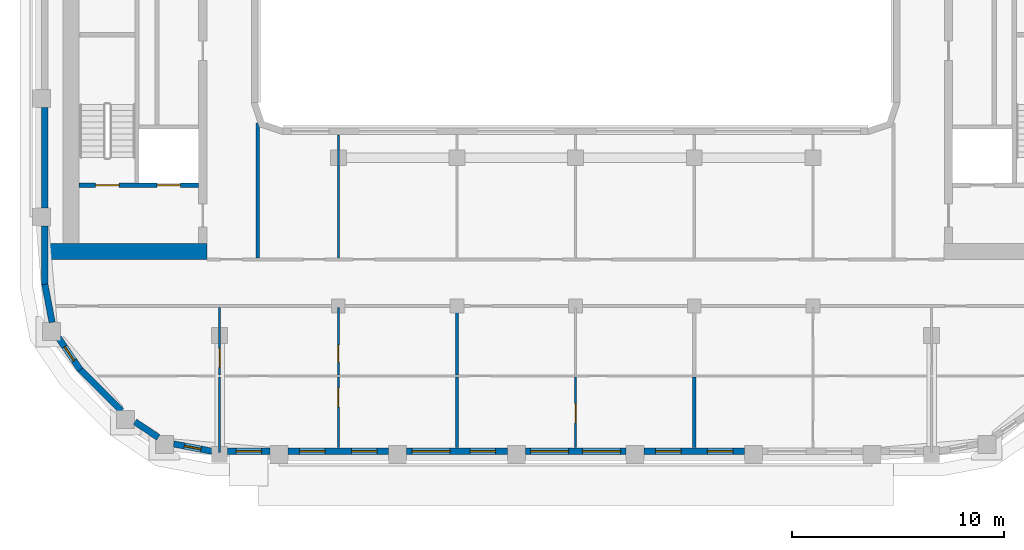
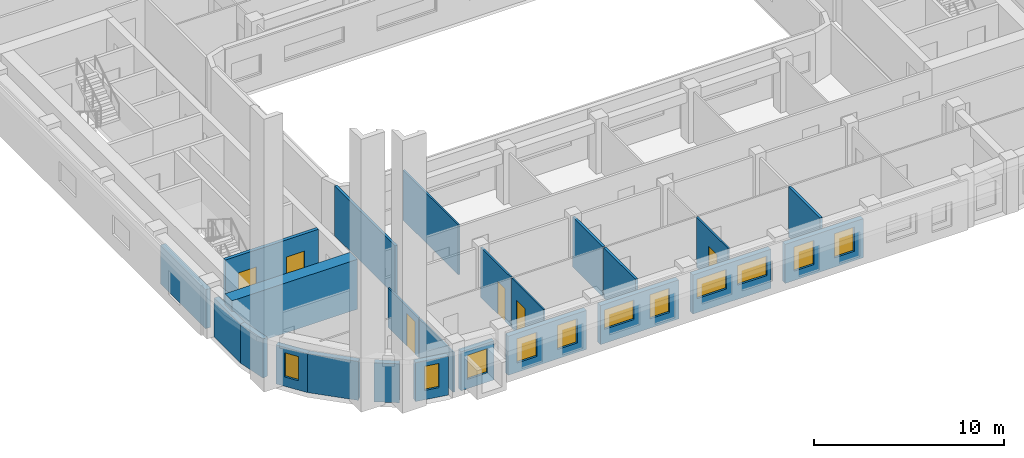
# One storey, part 2 of 21: 24 walls, 11 windows, 6 doors, 17 openings.
"""IFC4 building model written with IfcOpenShell, lengths in metres."""

from ifc_helpers import new_model, si_unit, direction, frame, frame_2d, origin, place, context, subcontext, project, spatial, rectangle, extrude, material, layer, layer_set, type_object, element, fill, save


model = new_model("IFC4")

# Units and contexts
model_context = context("Model", 3, precision=1e-05, world=origin(), true_north=direction((0.0, 1.0)))
body_context = subcontext(model_context, "Body", "Model", "MODEL_VIEW")
ifc_project = project(units=[si_unit("LENGTHUNIT", "METRE"), si_unit("AREAUNIT", "SQUARE_METRE"), si_unit("VOLUMEUNIT", "CUBIC_METRE"), si_unit("PLANEANGLEUNIT", "RADIAN"), si_unit("MASSUNIT", "GRAM", prefix="KILO")], contexts=[model_context])

# Site, building, storey
site_placement = place(None, origin())
site = spatial("IfcSite", under=ifc_project, at=site_placement, CompositionType="ELEMENT")
building_placement = place(site_placement, origin())
building = spatial("IfcBuilding", under=site, at=building_placement, Name="Kiln Ring Residences", CompositionType="ELEMENT")
storey_placement = place(building_placement, frame((0.0, 0.0, 213.39990234375)))
storey = spatial("IfcBuildingStorey", under=building, at=storey_placement, Name="L55", CompositionType="ELEMENT", Elevation=213.39990234375)

# Wall, openings, doors
ifc_material_1 = material(Name="Concrete C40/50", Category="concrete")
ifc_layer_1 = layer(ifc_material_1, 0.199951171875)
ifc_layer_set_1 = layer_set([ifc_layer_1], Name="CORE-WALL-RC200")
wall_type_1 = type_object("IfcWallType", Name="CORE-WALL-RC200", PredefinedType="SHEAR", material=ifc_layer_set_1)
wall_1_placement = place(storey_placement, frame((-17.800048828125, -9.699951171875, 0.0), z_axis=(0.0, 0.0, 1.0), x_axis=(-1.0, 0.0, 0.0)))
wall_1 = element("IfcWall", 1, at=wall_1_placement, inside=storey, type_object=wall_type_1, Name="Core wall west L55 8", PredefinedType="SHEAR", context=body_context, shape_type="SweptSolid", body=[
    extrude(rectangle(XDim=5.64990234375, YDim=0.199951171875, at=frame_2d((2.824951171875, 0.0))), origin(), (0.0, 0.0, 1.0), 3.2001953125),
])
opening_1_placement = place(wall_1_placement, frame((0.85009765625, 0.0, 0.0)))
opening_1 = element("IfcOpeningElement", 2, at=opening_1_placement, cuts=wall_1, Name="Opening L55-CW01", PredefinedType="OPENING", context=body_context, shape_type="SweptSolid", body=[
    extrude(rectangle(XDim=1.10009765625, YDim=2.10009765625, at=frame_2d((0.550048828125, 1.050048828125))), frame((0.0, 0.10986328125, 0.0), z_axis=(0.0, -1.0, 0.0), x_axis=(1.0, 0.0, 0.0)), (0.0, 0.0, 1.0), 0.219970703125),
])
opening_2_placement = place(wall_1_placement, frame((3.75, 0.0, 0.0)))
opening_2 = element("IfcOpeningElement", 3, at=opening_2_placement, cuts=wall_1, Name="Opening L55-CW10", PredefinedType="OPENING", context=body_context, shape_type="SweptSolid", body=[
    extrude(rectangle(XDim=1.10009765625, YDim=2.10009765625, at=frame_2d((0.550048828125, 1.050048828125))), frame((0.0, 0.10986328125, 0.0), z_axis=(0.0, -1.0, 0.0), x_axis=(1.0, 0.0, 0.0)), (0.0, 0.0, 1.0), 0.219970703125),
])
ifc_material_2 = material(Name="Steel door leaf", Category="steel")
door_type_1 = type_object("IfcDoorType", Name="CORE-DOOR-LD", OperationType="DOUBLE_DOOR_SLIDING", PredefinedType="DOOR", material=ifc_material_2)
door_1_placement = place(opening_1_placement, origin())
door_1 = element("IfcDoor", 4, at=door_1_placement, inside=storey, type_object=door_type_1, Name="LD W-SV L55-CW01", OperationType="DOUBLE_DOOR_SLIDING", OverallHeight=2.10009765625, OverallWidth=1.10009765625, PredefinedType="DOOR", context=body_context, shape_type="SweptSolid", body=[
    extrude(rectangle(XDim=1.10009765625, YDim=2.10009765625, at=frame_2d((0.550048828125, 1.050048828125))), frame((0.0, 0.02490234375, 0.0), z_axis=(0.0, -1.0, 0.0), x_axis=(1.0, 0.0, 0.0)), (0.0, 0.0, 1.0), 0.050048828125),
])
fill(opening_1, door_1)
ifc_material_3 = material(Name="Steel door leaf", Category="steel")
door_type_2 = type_object("IfcDoorType", Name="CORE-DOOR-STAIR", OperationType="SINGLE_SWING_LEFT", PredefinedType="DOOR", material=ifc_material_3)
door_2_placement = place(opening_2_placement, origin())
door_2 = element("IfcDoor", 5, at=door_2_placement, inside=storey, type_object=door_type_2, Name="Stair W-STS L55-CW10", OperationType="SINGLE_SWING_LEFT", OverallHeight=2.10009765625, OverallWidth=1.10009765625, PredefinedType="DOOR", context=body_context, shape_type="SweptSolid", body=[
    extrude(rectangle(XDim=1.10009765625, YDim=2.10009765625, at=frame_2d((0.550048828125, 1.050048828125))), frame((0.0, 0.02490234375, 0.0), z_axis=(0.0, -1.0, 0.0), x_axis=(1.0, 0.0, 0.0)), (0.0, 0.0, 1.0), 0.050048828125),
])
fill(opening_2, door_2)

# Walls
ifc_material_4 = material(Name="Concrete C60/75", Category="concrete")
ifc_layer_2 = layer(ifc_material_4, 0.75)
ifc_layer_set_2 = layer_set([ifc_layer_2], Name="CORE-WALL-RC750")
wall_type_2 = type_object("IfcWallType", Name="CORE-WALL-RC750", PredefinedType="SHEAR", material=ifc_layer_set_2)
wall_2_placement = place(storey_placement, frame((-17.39990234375, -12.824951171875, 0.0), z_axis=(0.0, 0.0, 1.0), x_axis=(-1.0, 0.0, 0.0)))
element("IfcWall", 6, at=wall_2_placement, inside=storey, type_object=wall_type_2, Name="Core wall west L55 5", PredefinedType="SHEAR", context=body_context, shape_type="SweptSolid", body=[
    extrude(rectangle(XDim=7.60009765625, YDim=0.75, at=frame_2d((3.800048828125, 0.0))), origin(), (0.0, 0.0, 1.0), 3.2001953125),
])
ifc_material_5 = material(Name="Brick masonry, dark clay brick", Category="masonry")
ifc_layer_3 = layer(ifc_material_5, 0.300048828125)
ifc_layer_set_3 = layer_set([ifc_layer_3], Name="EW-300 BRICK WALL")
wall_type_3 = type_object("IfcWallType", Name="EW-300 BRICK WALL", PredefinedType="SOLIDWALL", material=ifc_layer_set_3)
wall_3_placement = place(storey_placement, frame((-23.39697265625, -18.390869140625, 0.0), z_axis=(0.0, 0.0, 1.0), x_axis=(0.707106781187, -0.707106781187, 0.0)))
element("IfcWall", 7, at=wall_3_placement, inside=storey, type_object=wall_type_3, Name="Facade wall L55 1", PredefinedType="SOLIDWALL", context=body_context, shape_type="SweptSolid", body=[
    extrude(rectangle(XDim=2.775146484375, YDim=0.300048828125, at=frame_2d((1.3876953125, 0.0))), origin(), (0.0, 0.0, 1.0), 2.5),
])
wall_4_placement = place(storey_placement, frame((-20.7958984375, -20.862060546875, 0.0), z_axis=(0.0, 0.0, 1.0), x_axis=(0.827035970432, -0.562149004813, 0.0)))
element("IfcWall", 8, at=wall_4_placement, inside=storey, type_object=wall_type_3, Name="Facade wall L55 2", PredefinedType="SOLIDWALL", context=body_context, shape_type="SweptSolid", body=[
    extrude(rectangle(XDim=1.3271484375, YDim=0.300048828125, at=frame_2d((0.66357421875, 0.0))), origin(), (0.0, 0.0, 1.0), 2.5),
])

# Wall, opening, window
wall_5_placement = place(storey_placement, frame((-18.970703125, -21.90966796875, 0.0), z_axis=(0.0, 0.0, 1.0), x_axis=(0.982300037503, -0.187314271538, 0.0)))
wall_5 = element("IfcWall", 9, at=wall_5_placement, inside=storey, type_object=wall_type_3, Name="Facade wall L55 3", PredefinedType="SOLIDWALL", context=body_context, shape_type="SweptSolid", body=[
    extrude(rectangle(XDim=1.831298828125, YDim=0.300048828125, at=frame_2d((0.91552734375, 0.0))), origin(), (0.0, 0.0, 1.0), 2.5),
])
opening_3_placement = place(wall_5_placement, frame((0.515625, 0.0, 0.60009765625)))
opening_3 = element("IfcOpeningElement", 10, at=opening_3_placement, cuts=wall_5, Name="Opening W5", PredefinedType="OPENING", context=body_context, shape_type="SweptSolid", body=[
    extrude(rectangle(XDim=0.800048828125, YDim=1.550048828125, at=frame_2d((0.39990234375, 0.77490234375))), frame((0.0, 0.159912109375, 0.0), z_axis=(0.0, -1.0, 0.0), x_axis=(1.0, 0.0, 0.0)), (0.0, 0.0, 1.0), 0.320068359375),
])
ifc_material_6 = material(Name="Aluminium frame with double glazing", Category="aluminium")
window_type_1 = type_object("IfcWindowType", Name="WINDOW 800 x 1550", PartitioningType="SINGLE_PANEL", PredefinedType="WINDOW", material=ifc_material_6)
window_1_placement = place(opening_3_placement, origin())
window_1 = element("IfcWindow", 11, at=window_1_placement, inside=storey, type_object=window_type_1, Name="Window L55 1", OverallHeight=1.550048828125, OverallWidth=0.800048828125, PartitioningType="SINGLE_PANEL", PredefinedType="WINDOW", context=body_context, shape_type="SweptSolid", body=[
    extrude(rectangle(XDim=0.800048828125, YDim=1.550048828125, at=frame_2d((0.39990234375, 0.77490234375))), frame((0.0, 0.030029296875, 0.0), z_axis=(0.0, -1.0, 0.0), x_axis=(1.0, 0.0, 0.0)), (0.0, 0.0, 1.0), 0.06005859375),
])
fill(opening_3, window_1)

wall_6_placement = place(storey_placement, frame((-16.425048828125, -22.25, 0.0), z_axis=(0.0, 0.0, 1.0), x_axis=(1.0, 0.0, 0.0)))
wall_6 = element("IfcWall", 12, at=wall_6_placement, inside=storey, type_object=wall_type_3, Name="Facade wall L55 4", PredefinedType="SOLIDWALL", context=body_context, shape_type="SweptSolid", body=[
    extrude(rectangle(XDim=2.0, YDim=0.300048828125, at=frame_2d((1.0, 0.0))), origin(), (0.0, 0.0, 1.0), 2.5),
])
opening_4_placement = place(wall_6_placement, frame((0.39990234375, 0.0, 0.60009765625)))
opening_4 = element("IfcOpeningElement", 13, at=opening_4_placement, cuts=wall_6, Name="Opening W1", PredefinedType="OPENING", context=body_context, shape_type="SweptSolid", body=[
    extrude(rectangle(XDim=1.199951171875, YDim=1.550048828125, at=frame_2d((0.60009765625, 0.77490234375))), frame((0.0, 0.159912109375, 0.0), z_axis=(0.0, -1.0, 0.0), x_axis=(1.0, 0.0, 0.0)), (0.0, 0.0, 1.0), 0.320068359375),
])
ifc_material_7 = material(Name="Aluminium frame with double glazing", Category="aluminium")
window_type_2 = type_object("IfcWindowType", Name="WINDOW 1200 x 1550", PartitioningType="SINGLE_PANEL", PredefinedType="WINDOW", material=ifc_material_7)
window_2_placement = place(opening_4_placement, origin())
window_2 = element("IfcWindow", 14, at=window_2_placement, inside=storey, type_object=window_type_2, Name="Window L55 2", OverallHeight=1.550048828125, OverallWidth=1.199951171875, PartitioningType="SINGLE_PANEL", PredefinedType="WINDOW", context=body_context, shape_type="SweptSolid", body=[
    extrude(rectangle(XDim=1.199951171875, YDim=1.550048828125, at=frame_2d((0.60009765625, 0.77490234375))), frame((0.0, 0.030029296875, 0.0), z_axis=(0.0, -1.0, 0.0), x_axis=(1.0, 0.0, 0.0)), (0.0, 0.0, 1.0), 0.06005859375),
])
fill(opening_4, window_2)

# Wall, openings, windows
wall_7_placement = place(storey_placement, frame((-13.574951171875, -22.25, 0.0), z_axis=(0.0, 0.0, 1.0), x_axis=(1.0, 0.0, 0.0)))
wall_7 = element("IfcWall", 15, at=wall_7_placement, inside=storey, type_object=wall_type_3, Name="Facade wall L55 5", PredefinedType="SOLIDWALL", context=body_context, shape_type="SweptSolid", body=[
    extrude(rectangle(XDim=4.75, YDim=0.300048828125, at=frame_2d((2.375, 0.0))), origin(), (0.0, 0.0, 1.0), 2.5),
])
opening_5_placement = place(wall_7_placement, frame((0.550048828125, 0.0, 0.60009765625)))
opening_5 = element("IfcOpeningElement", 16, at=opening_5_placement, cuts=wall_7, Name="Opening W1", PredefinedType="OPENING", context=body_context, shape_type="SweptSolid", body=[
    extrude(rectangle(XDim=1.199951171875, YDim=1.550048828125, at=frame_2d((0.60009765625, 0.77490234375))), frame((0.0, 0.159912109375, 0.0), z_axis=(0.0, -1.0, 0.0), x_axis=(1.0, 0.0, 0.0)), (0.0, 0.0, 1.0), 0.320068359375),
])
opening_6_placement = place(wall_7_placement, frame((3.0, 0.0, 0.60009765625)))
opening_6 = element("IfcOpeningElement", 17, at=opening_6_placement, cuts=wall_7, Name="Opening W1", PredefinedType="OPENING", context=body_context, shape_type="SweptSolid", body=[
    extrude(rectangle(XDim=1.199951171875, YDim=1.550048828125, at=frame_2d((0.60009765625, 0.77490234375))), frame((0.0, 0.159912109375, 0.0), z_axis=(0.0, -1.0, 0.0), x_axis=(1.0, 0.0, 0.0)), (0.0, 0.0, 1.0), 0.320068359375),
])
window_3_placement = place(opening_5_placement, origin())
window_3 = element("IfcWindow", 18, at=window_3_placement, inside=storey, type_object=window_type_2, Name="Window L55 3", OverallHeight=1.550048828125, OverallWidth=1.199951171875, PartitioningType="SINGLE_PANEL", PredefinedType="WINDOW", context=body_context, shape_type="SweptSolid", body=[
    extrude(rectangle(XDim=1.199951171875, YDim=1.550048828125, at=frame_2d((0.60009765625, 0.77490234375))), frame((0.0, 0.030029296875, 0.0), z_axis=(0.0, -1.0, 0.0), x_axis=(1.0, 0.0, 0.0)), (0.0, 0.0, 1.0), 0.06005859375),
])
fill(opening_5, window_3)
window_4_placement = place(opening_6_placement, origin())
window_4 = element("IfcWindow", 19, at=window_4_placement, inside=storey, type_object=window_type_2, Name="Window L55 4", OverallHeight=1.550048828125, OverallWidth=1.199951171875, PartitioningType="SINGLE_PANEL", PredefinedType="WINDOW", context=body_context, shape_type="SweptSolid", body=[
    extrude(rectangle(XDim=1.199951171875, YDim=1.550048828125, at=frame_2d((0.60009765625, 0.77490234375))), frame((0.0, 0.030029296875, 0.0), z_axis=(0.0, -1.0, 0.0), x_axis=(1.0, 0.0, 0.0)), (0.0, 0.0, 1.0), 0.06005859375),
])
fill(opening_6, window_4)

wall_8_placement = place(storey_placement, frame((-7.97509765625, -22.25, 0.0), z_axis=(0.0, 0.0, 1.0), x_axis=(1.0, 0.0, 0.0)))
wall_8 = element("IfcWall", 20, at=wall_8_placement, inside=storey, type_object=wall_type_3, Name="Facade wall L55 6", PredefinedType="SOLIDWALL", context=body_context, shape_type="SweptSolid", body=[
    extrude(rectangle(XDim=4.75, YDim=0.300048828125, at=frame_2d((2.375, 0.0))), origin(), (0.0, 0.0, 1.0), 2.5),
])
opening_7_placement = place(wall_8_placement, frame((0.25, 0.0, 0.89990234375)))
opening_7 = element("IfcOpeningElement", 21, at=opening_7_placement, cuts=wall_8, Name="Opening W2", PredefinedType="OPENING", context=body_context, shape_type="SweptSolid", body=[
    extrude(rectangle(XDim=1.800048828125, YDim=1.25, at=frame_2d((0.89990234375, 0.625))), frame((0.0, 0.159912109375, 0.0), z_axis=(0.0, -1.0, 0.0), x_axis=(1.0, 0.0, 0.0)), (0.0, 0.0, 1.0), 0.320068359375),
])
opening_8_placement = place(wall_8_placement, frame((3.0, 0.0, 0.60009765625)))
opening_8 = element("IfcOpeningElement", 22, at=opening_8_placement, cuts=wall_8, Name="Opening W1", PredefinedType="OPENING", context=body_context, shape_type="SweptSolid", body=[
    extrude(rectangle(XDim=1.199951171875, YDim=1.550048828125, at=frame_2d((0.60009765625, 0.77490234375))), frame((0.0, 0.159912109375, 0.0), z_axis=(0.0, -1.0, 0.0), x_axis=(1.0, 0.0, 0.0)), (0.0, 0.0, 1.0), 0.320068359375),
])
window_5_placement = place(opening_8_placement, origin())
window_5 = element("IfcWindow", 23, at=window_5_placement, inside=storey, type_object=window_type_2, Name="Window L55 6", OverallHeight=1.550048828125, OverallWidth=1.199951171875, PartitioningType="SINGLE_PANEL", PredefinedType="WINDOW", context=body_context, shape_type="SweptSolid", body=[
    extrude(rectangle(XDim=1.199951171875, YDim=1.550048828125, at=frame_2d((0.60009765625, 0.77490234375))), frame((0.0, 0.030029296875, 0.0), z_axis=(0.0, -1.0, 0.0), x_axis=(1.0, 0.0, 0.0)), (0.0, 0.0, 1.0), 0.06005859375),
])
fill(opening_8, window_5)
ifc_material_8 = material(Name="Aluminium frame with double glazing", Category="aluminium")
window_type_3 = type_object("IfcWindowType", Name="WINDOW 1800 x 1250", PartitioningType="SINGLE_PANEL", PredefinedType="WINDOW", material=ifc_material_8)
window_6_placement = place(opening_7_placement, origin())
window_6 = element("IfcWindow", 24, at=window_6_placement, inside=storey, type_object=window_type_3, Name="Window L55 5", OverallHeight=1.25, OverallWidth=1.800048828125, PartitioningType="SINGLE_PANEL", PredefinedType="WINDOW", context=body_context, shape_type="SweptSolid", body=[
    extrude(rectangle(XDim=1.800048828125, YDim=1.25, at=frame_2d((0.89990234375, 0.625))), frame((0.0, 0.030029296875, 0.0), z_axis=(0.0, -1.0, 0.0), x_axis=(1.0, 0.0, 0.0)), (0.0, 0.0, 1.0), 0.06005859375),
])
fill(opening_7, window_6)

wall_9_placement = place(storey_placement, frame((-2.375, -22.25, 0.0), z_axis=(0.0, 0.0, 1.0), x_axis=(1.0, 0.0, 0.0)))
wall_9 = element("IfcWall", 25, at=wall_9_placement, inside=storey, type_object=wall_type_3, Name="Facade wall L55 7", PredefinedType="SOLIDWALL", context=body_context, shape_type="SweptSolid", body=[
    extrude(rectangle(XDim=4.75, YDim=0.300048828125, at=frame_2d((2.375, 0.0))), origin(), (0.0, 0.0, 1.0), 2.5),
])
opening_9_placement = place(wall_9_placement, frame((0.25, 0.0, 0.89990234375)))
opening_9 = element("IfcOpeningElement", 26, at=opening_9_placement, cuts=wall_9, Name="Opening W2", PredefinedType="OPENING", context=body_context, shape_type="SweptSolid", body=[
    extrude(rectangle(XDim=1.800048828125, YDim=1.25, at=frame_2d((0.89990234375, 0.625))), frame((0.0, 0.159912109375, 0.0), z_axis=(0.0, -1.0, 0.0), x_axis=(1.0, 0.0, 0.0)), (0.0, 0.0, 1.0), 0.320068359375),
])
opening_10_placement = place(wall_9_placement, frame((2.699951171875, 0.0, 0.89990234375)))
opening_10 = element("IfcOpeningElement", 27, at=opening_10_placement, cuts=wall_9, Name="Opening W2", PredefinedType="OPENING", context=body_context, shape_type="SweptSolid", body=[
    extrude(rectangle(XDim=1.800048828125, YDim=1.25, at=frame_2d((0.89990234375, 0.625))), frame((0.0, 0.159912109375, 0.0), z_axis=(0.0, -1.0, 0.0), x_axis=(1.0, 0.0, 0.0)), (0.0, 0.0, 1.0), 0.320068359375),
])
window_7_placement = place(opening_9_placement, origin())
window_7 = element("IfcWindow", 28, at=window_7_placement, inside=storey, type_object=window_type_3, Name="Window L55 7", OverallHeight=1.25, OverallWidth=1.800048828125, PartitioningType="SINGLE_PANEL", PredefinedType="WINDOW", context=body_context, shape_type="SweptSolid", body=[
    extrude(rectangle(XDim=1.800048828125, YDim=1.25, at=frame_2d((0.89990234375, 0.625))), frame((0.0, 0.030029296875, 0.0), z_axis=(0.0, -1.0, 0.0), x_axis=(1.0, 0.0, 0.0)), (0.0, 0.0, 1.0), 0.06005859375),
])
fill(opening_9, window_7)
window_8_placement = place(opening_10_placement, origin())
window_8 = element("IfcWindow", 29, at=window_8_placement, inside=storey, type_object=window_type_3, Name="Window L55 8", OverallHeight=1.25, OverallWidth=1.800048828125, PartitioningType="SINGLE_PANEL", PredefinedType="WINDOW", context=body_context, shape_type="SweptSolid", body=[
    extrude(rectangle(XDim=1.800048828125, YDim=1.25, at=frame_2d((0.89990234375, 0.625))), frame((0.0, 0.030029296875, 0.0), z_axis=(0.0, -1.0, 0.0), x_axis=(1.0, 0.0, 0.0)), (0.0, 0.0, 1.0), 0.06005859375),
])
fill(opening_10, window_8)

wall_10_placement = place(storey_placement, frame((3.22509765625, -22.25, 0.0), z_axis=(0.0, 0.0, 1.0), x_axis=(1.0, 0.0, 0.0)))
wall_10 = element("IfcWall", 30, at=wall_10_placement, inside=storey, type_object=wall_type_3, Name="Facade wall L55 8", PredefinedType="SOLIDWALL", context=body_context, shape_type="SweptSolid", body=[
    extrude(rectangle(XDim=4.75, YDim=0.300048828125, at=frame_2d((2.375, 0.0))), origin(), (0.0, 0.0, 1.0), 2.5),
])
opening_11_placement = place(wall_10_placement, frame((0.550048828125, 0.0, 0.60009765625)))
opening_11 = element("IfcOpeningElement", 31, at=opening_11_placement, cuts=wall_10, Name="Opening W1", PredefinedType="OPENING", context=body_context, shape_type="SweptSolid", body=[
    extrude(rectangle(XDim=1.199951171875, YDim=1.550048828125, at=frame_2d((0.60009765625, 0.77490234375))), frame((0.0, 0.159912109375, 0.0), z_axis=(0.0, -1.0, 0.0), x_axis=(1.0, 0.0, 0.0)), (0.0, 0.0, 1.0), 0.320068359375),
])
opening_12_placement = place(wall_10_placement, frame((3.0, 0.0, 0.60009765625)))
opening_12 = element("IfcOpeningElement", 32, at=opening_12_placement, cuts=wall_10, Name="Opening W1", PredefinedType="OPENING", context=body_context, shape_type="SweptSolid", body=[
    extrude(rectangle(XDim=1.199951171875, YDim=1.550048828125, at=frame_2d((0.60009765625, 0.77490234375))), frame((0.0, 0.159912109375, 0.0), z_axis=(0.0, -1.0, 0.0), x_axis=(1.0, 0.0, 0.0)), (0.0, 0.0, 1.0), 0.320068359375),
])
window_9_placement = place(opening_11_placement, origin())
window_9 = element("IfcWindow", 33, at=window_9_placement, inside=storey, type_object=window_type_2, Name="Window L55 9", OverallHeight=1.550048828125, OverallWidth=1.199951171875, PartitioningType="SINGLE_PANEL", PredefinedType="WINDOW", context=body_context, shape_type="SweptSolid", body=[
    extrude(rectangle(XDim=1.199951171875, YDim=1.550048828125, at=frame_2d((0.60009765625, 0.77490234375))), frame((0.0, 0.030029296875, 0.0), z_axis=(0.0, -1.0, 0.0), x_axis=(1.0, 0.0, 0.0)), (0.0, 0.0, 1.0), 0.06005859375),
])
fill(opening_11, window_9)
window_10_placement = place(opening_12_placement, origin())
window_10 = element("IfcWindow", 34, at=window_10_placement, inside=storey, type_object=window_type_2, Name="Window L55 10", OverallHeight=1.550048828125, OverallWidth=1.199951171875, PartitioningType="SINGLE_PANEL", PredefinedType="WINDOW", context=body_context, shape_type="SweptSolid", body=[
    extrude(rectangle(XDim=1.199951171875, YDim=1.550048828125, at=frame_2d((0.60009765625, 0.77490234375))), frame((0.0, 0.030029296875, 0.0), z_axis=(0.0, -1.0, 0.0), x_axis=(1.0, 0.0, 0.0)), (0.0, 0.0, 1.0), 0.06005859375),
])
fill(opening_12, window_10)

# Walls
wall_11_placement = place(storey_placement, frame((-25.050048828125, -6.02490234375, 0.0), z_axis=(0.0, 0.0, 1.0), x_axis=(0.0, -1.0, 0.0)))
element("IfcWall", 35, at=wall_11_placement, inside=storey, type_object=wall_type_3, Name="Facade wall L55 43", PredefinedType="SOLIDWALL", context=body_context, shape_type="SweptSolid", body=[
    extrude(rectangle(XDim=4.75, YDim=0.300048828125, at=frame_2d((2.375, 0.0))), origin(), (0.0, 0.0, 1.0), 2.5),
])
wall_12_placement = place(storey_placement, frame((-25.050048828125, -11.625, 0.0), z_axis=(0.0, 0.0, 1.0), x_axis=(0.0, -1.0, 0.0)))
element("IfcWall", 36, at=wall_12_placement, inside=storey, type_object=wall_type_3, Name="Facade wall L55 44", PredefinedType="SOLIDWALL", context=body_context, shape_type="SweptSolid", body=[
    extrude(rectangle(XDim=2.77490234375, YDim=0.300048828125, at=frame_2d((1.387451171875, 0.0))), origin(), (0.0, 0.0, 1.0), 2.5),
])
wall_13_placement = place(storey_placement, frame((-25.052734375, -14.371826171875, 0.0), z_axis=(0.0, 0.0, 1.0), x_axis=(0.187442908742, -0.982275499014, 0.0)))
element("IfcWall", 37, at=wall_13_placement, inside=storey, type_object=wall_type_3, Name="Facade wall L55 45", PredefinedType="SOLIDWALL", context=body_context, shape_type="SweptSolid", body=[
    extrude(rectangle(XDim=1.831298828125, YDim=0.300048828125, at=frame_2d((0.91552734375, 0.0))), origin(), (0.0, 0.0, 1.0), 2.5),
])

# Wall, opening, window
wall_14_placement = place(storey_placement, frame((-24.408203125, -16.898193359375, 0.0), z_axis=(0.0, 0.0, 1.0), x_axis=(0.562062033417, -0.827095079535, 0.0)))
wall_14 = element("IfcWall", 38, at=wall_14_placement, inside=storey, type_object=wall_type_3, Name="Facade wall L55 46", PredefinedType="SOLIDWALL", context=body_context, shape_type="SweptSolid", body=[
    extrude(rectangle(XDim=1.831298828125, YDim=0.300048828125, at=frame_2d((0.91552734375, 0.0))), origin(), (0.0, 0.0, 1.0), 2.5),
])
opening_13_placement = place(wall_14_placement, frame((0.515625, 0.0, 0.60009765625)))
opening_13 = element("IfcOpeningElement", 39, at=opening_13_placement, cuts=wall_14, Name="Opening W5", PredefinedType="OPENING", context=body_context, shape_type="SweptSolid", body=[
    extrude(rectangle(XDim=0.800048828125, YDim=1.550048828125, at=frame_2d((0.39990234375, 0.77490234375))), frame((0.0, 0.159912109375, 0.0), z_axis=(0.0, -1.0, 0.0), x_axis=(1.0, 0.0, 0.0)), (0.0, 0.0, 1.0), 0.320068359375),
])
window_11_placement = place(opening_13_placement, origin())
window_11 = element("IfcWindow", 40, at=window_11_placement, inside=storey, type_object=window_type_1, Name="Window L55 33", OverallHeight=1.550048828125, OverallWidth=0.800048828125, PartitioningType="SINGLE_PANEL", PredefinedType="WINDOW", context=body_context, shape_type="SweptSolid", body=[
    extrude(rectangle(XDim=0.800048828125, YDim=1.550048828125, at=frame_2d((0.39990234375, 0.77490234375))), frame((0.0, 0.030029296875, 0.0), z_axis=(0.0, -1.0, 0.0), x_axis=(1.0, 0.0, 0.0)), (0.0, 0.0, 1.0), 0.06005859375),
])
fill(opening_13, window_11)

# Wall
ifc_material_9 = material(Name="Gypsum board on steel studs", Category="steel")
ifc_layer_4 = layer(ifc_material_9, 0.10009765625)
ifc_layer_set_4 = layer_set([ifc_layer_4], Name="PARTITION-100")
wall_type_4 = type_object("IfcWallType", Name="PARTITION-100", PredefinedType="PARTITIONING", material=ifc_layer_set_4)
wall_15_placement = place(storey_placement, frame((-16.800048828125, -22.31005859375, 0.0), z_axis=(0.0, 0.0, 1.0), x_axis=(0.0, 1.0, 0.0)))
element("IfcWall", 41, at=wall_15_placement, inside=storey, type_object=wall_type_4, Name="Partition 007", PredefinedType="PARTITIONING", context=body_context, shape_type="SweptSolid", body=[
    extrude(rectangle(XDim=3.56005859375, YDim=0.10009765625, at=frame_2d((1.780029296875, 0.0))), origin(), (0.0, 0.0, 1.0), 2.550048828125),
])

# Wall, opening, door
wall_16_placement = place(storey_placement, frame((-16.800048828125, -18.64990234375, 0.0), z_axis=(0.0, 0.0, 1.0), x_axis=(0.0, 1.0, 0.0)))
wall_16 = element("IfcWall", 42, at=wall_16_placement, inside=storey, type_object=wall_type_4, Name="Partition 008", PredefinedType="PARTITIONING", context=body_context, shape_type="SweptSolid", body=[
    extrude(rectangle(XDim=3.1748046875, YDim=0.10009765625, at=frame_2d((1.58740234375, 0.0))), origin(), (0.0, 0.0, 1.0), 2.550048828125),
])
opening_14_placement = place(wall_16_placement, frame((0.35009765625, 0.0, 0.0)))
opening_14 = element("IfcOpeningElement", 43, at=opening_14_placement, cuts=wall_16, Name="Opening L55-D040", PredefinedType="OPENING", context=body_context, shape_type="SweptSolid", body=[
    extrude(rectangle(XDim=0.89990234375, YDim=2.10009765625, at=frame_2d((0.449951171875, 1.050048828125))), frame((0.0, 0.06005859375, 0.0), z_axis=(0.0, -1.0, 0.0), x_axis=(1.0, 0.0, 0.0)), (0.0, 0.0, 1.0), 0.1201171875),
])
ifc_material_10 = material(Name="Timber door leaf", Category="wood")
door_type_3 = type_object("IfcDoorType", Name="FLAT-DOOR-900-PL", OperationType="SINGLE_SWING_LEFT", PredefinedType="DOOR", material=ifc_material_10)
door_3_placement = place(opening_14_placement, origin())
door_3 = element("IfcDoor", 44, at=door_3_placement, inside=storey, type_object=door_type_3, Name="Door L55-D040", OperationType="SINGLE_SWING_LEFT", OverallHeight=2.10009765625, OverallWidth=0.89990234375, PredefinedType="DOOR", context=body_context, shape_type="SweptSolid", body=[
    extrude(rectangle(XDim=0.89990234375, YDim=2.10009765625, at=frame_2d((0.449951171875, 1.050048828125))), frame((0.0, 0.02490234375, 0.0), z_axis=(0.0, -1.0, 0.0), x_axis=(1.0, 0.0, 0.0)), (0.0, 0.0, 1.0), 0.050048828125),
])
fill(opening_14, door_3)

wall_17_placement = place(storey_placement, frame((-11.199951171875, -22.080078125, 0.0), z_axis=(0.0, 0.0, 1.0), x_axis=(0.0, 1.0, 0.0)))
wall_17 = element("IfcWall", 45, at=wall_17_placement, inside=storey, type_object=wall_type_4, Name="Partition 013", PredefinedType="PARTITIONING", context=body_context, shape_type="SweptSolid", body=[
    extrude(rectangle(XDim=3.330078125, YDim=0.10009765625, at=frame_2d((1.6650390625, 0.0))), origin(), (0.0, 0.0, 1.0), 3.2001953125),
])
opening_15_placement = place(wall_17_placement, frame((1.919921875, 0.0, 0.0)))
opening_15 = element("IfcOpeningElement", 46, at=opening_15_placement, cuts=wall_17, Name="Opening L55-D044", PredefinedType="OPENING", context=body_context, shape_type="SweptSolid", body=[
    extrude(rectangle(XDim=0.89990234375, YDim=2.10009765625, at=frame_2d((0.449951171875, 1.050048828125))), frame((0.0, 0.06005859375, 0.0), z_axis=(0.0, -1.0, 0.0), x_axis=(1.0, 0.0, 0.0)), (0.0, 0.0, 1.0), 0.1201171875),
])
door_4_placement = place(opening_15_placement, origin())
door_4 = element("IfcDoor", 47, at=door_4_placement, inside=storey, type_object=door_type_3, Name="Door L55-D044", OperationType="SINGLE_SWING_RIGHT", OverallHeight=2.10009765625, OverallWidth=0.89990234375, PredefinedType="DOOR", context=body_context, shape_type="SweptSolid", body=[
    extrude(rectangle(XDim=0.89990234375, YDim=2.10009765625, at=frame_2d((0.449951171875, 1.050048828125))), frame((0.0, 0.02490234375, 0.0), z_axis=(0.0, -1.0, 0.0), x_axis=(1.0, 0.0, 0.0)), (0.0, 0.0, 1.0), 0.050048828125),
])
fill(opening_15, door_4)

wall_18_placement = place(storey_placement, frame((-11.199951171875, -18.64990234375, 0.0), z_axis=(0.0, 0.0, 1.0), x_axis=(0.0, 1.0, 0.0)))
wall_18 = element("IfcWall", 48, at=wall_18_placement, inside=storey, type_object=wall_type_4, Name="Partition 014", PredefinedType="PARTITIONING", context=body_context, shape_type="SweptSolid", body=[
    extrude(rectangle(XDim=3.1748046875, YDim=0.10009765625, at=frame_2d((1.58740234375, 0.0))), origin(), (0.0, 0.0, 1.0), 3.2001953125),
])
opening_16_placement = place(wall_18_placement, frame((0.60009765625, 0.0, 0.0)))
opening_16 = element("IfcOpeningElement", 49, at=opening_16_placement, cuts=wall_18, Name="Opening L55-D041", PredefinedType="OPENING", context=body_context, shape_type="SweptSolid", body=[
    extrude(rectangle(XDim=0.800048828125, YDim=2.10009765625, at=frame_2d((0.39990234375, 1.050048828125))), frame((0.0, 0.06005859375, 0.0), z_axis=(0.0, -1.0, 0.0), x_axis=(1.0, 0.0, 0.0)), (0.0, 0.0, 1.0), 0.1201171875),
])
ifc_material_11 = material(Name="Timber door leaf", Category="wood")
door_type_4 = type_object("IfcDoorType", Name="FLAT-DOOR-800-PL", OperationType="SINGLE_SWING_LEFT", PredefinedType="DOOR", material=ifc_material_11)
door_5_placement = place(opening_16_placement, origin())
door_5 = element("IfcDoor", 50, at=door_5_placement, inside=storey, type_object=door_type_4, Name="Door L55-D041", OperationType="SINGLE_SWING_LEFT", OverallHeight=2.10009765625, OverallWidth=0.800048828125, PredefinedType="DOOR", context=body_context, shape_type="SweptSolid", body=[
    extrude(rectangle(XDim=0.800048828125, YDim=2.10009765625, at=frame_2d((0.39990234375, 1.050048828125))), frame((0.0, 0.02490234375, 0.0), z_axis=(0.0, -1.0, 0.0), x_axis=(1.0, 0.0, 0.0)), (0.0, 0.0, 1.0), 0.050048828125),
])
fill(opening_16, door_5)

# Wall
wall_19_placement = place(storey_placement, frame((-11.199951171875, -13.125, 0.0), z_axis=(0.0, 0.0, 1.0), x_axis=(0.0, 1.0, 0.0)))
element("IfcWall", 51, at=wall_19_placement, inside=storey, type_object=wall_type_4, Name="Partition 015", PredefinedType="PARTITIONING", context=body_context, shape_type="SweptSolid", body=[
    extrude(rectangle(XDim=5.804931640625, YDim=0.10009765625, at=frame_2d((2.90234375, 0.0))), origin(), (0.0, 0.0, 1.0), 3.2001953125),
])

# Wall, opening, door
wall_20_placement = place(storey_placement, frame((0.0, -22.080078125, 0.0), z_axis=(0.0, 0.0, 1.0), x_axis=(0.0, 1.0, 0.0)))
wall_20 = element("IfcWall", 52, at=wall_20_placement, inside=storey, type_object=wall_type_4, Name="Partition 027", PredefinedType="PARTITIONING", context=body_context, shape_type="SweptSolid", body=[
    extrude(rectangle(XDim=3.330078125, YDim=0.10009765625, at=frame_2d((1.6650390625, 0.0))), origin(), (0.0, 0.0, 1.0), 3.2001953125),
])
opening_17_placement = place(wall_20_placement, frame((1.169921875, 0.0, 0.0)))
opening_17 = element("IfcOpeningElement", 53, at=opening_17_placement, cuts=wall_20, Name="Opening L55-D048", PredefinedType="OPENING", context=body_context, shape_type="SweptSolid", body=[
    extrude(rectangle(XDim=0.89990234375, YDim=2.10009765625, at=frame_2d((0.449951171875, 1.050048828125))), frame((0.0, 0.06005859375, 0.0), z_axis=(0.0, -1.0, 0.0), x_axis=(1.0, 0.0, 0.0)), (0.0, 0.0, 1.0), 0.1201171875),
])
door_6_placement = place(opening_17_placement, origin())
door_6 = element("IfcDoor", 54, at=door_6_placement, inside=storey, type_object=door_type_3, Name="Door L55-D048", OperationType="SINGLE_SWING_RIGHT", OverallHeight=2.10009765625, OverallWidth=0.89990234375, PredefinedType="DOOR", context=body_context, shape_type="SweptSolid", body=[
    extrude(rectangle(XDim=0.89990234375, YDim=2.10009765625, at=frame_2d((0.449951171875, 1.050048828125))), frame((0.0, 0.02490234375, 0.0), z_axis=(0.0, -1.0, 0.0), x_axis=(1.0, 0.0, 0.0)), (0.0, 0.0, 1.0), 0.050048828125),
])
fill(opening_17, door_6)

# Walls
ifc_material_12 = material(Name="Brick masonry partition", Category="masonry")
ifc_layer_5 = layer(ifc_material_12, 0.14990234375)
ifc_layer_set_5 = layer_set([ifc_layer_5], Name="PARTITION-150-ei60")
wall_type_5 = type_object("IfcWallType", Name="PARTITION-150-ei60", PredefinedType="PARTITIONING", material=ifc_layer_set_5)
wall_21_placement = place(storey_placement, frame((-15.0, -13.125, 0.0), z_axis=(0.0, 0.0, 1.0), x_axis=(0.0, 1.0, 0.0)))
element("IfcWall", 55, at=wall_21_placement, inside=storey, type_object=wall_type_5, Name="Partition 011", PredefinedType="PARTITIONING", context=body_context, shape_type="SweptSolid", body=[
    extrude(rectangle(XDim=6.356201171875, YDim=0.14990234375, at=frame_2d((3.17822265625, 0.0))), origin(), (0.0, 0.0, 1.0), 3.2001953125),
])
wall_22_placement = place(storey_placement, frame((-5.60009765625, -22.080078125, 0.0), z_axis=(0.0, 0.0, 1.0), x_axis=(0.0, 1.0, 0.0)))
element("IfcWall", 56, at=wall_22_placement, inside=storey, type_object=wall_type_5, Name="Partition 023", PredefinedType="PARTITIONING", context=body_context, shape_type="SweptSolid", body=[
    extrude(rectangle(XDim=3.330078125, YDim=0.14990234375, at=frame_2d((1.6650390625, 0.0))), origin(), (0.0, 0.0, 1.0), 3.2001953125),
])
wall_23_placement = place(storey_placement, frame((-5.60009765625, -18.64990234375, 0.0), z_axis=(0.0, 0.0, 1.0), x_axis=(0.0, 1.0, 0.0)))
element("IfcWall", 57, at=wall_23_placement, inside=storey, type_object=wall_type_5, Name="Partition 024", PredefinedType="PARTITIONING", context=body_context, shape_type="SweptSolid", body=[
    extrude(rectangle(XDim=3.1748046875, YDim=0.14990234375, at=frame_2d((1.58740234375, 0.0))), origin(), (0.0, 0.0, 1.0), 3.2001953125),
])
wall_24_placement = place(storey_placement, frame((5.60009765625, -22.080078125, 0.0), z_axis=(0.0, 0.0, 1.0), x_axis=(0.0, 1.0, 0.0)))
element("IfcWall", 58, at=wall_24_placement, inside=storey, type_object=wall_type_5, Name="Partition 037", PredefinedType="PARTITIONING", context=body_context, shape_type="SweptSolid", body=[
    extrude(rectangle(XDim=3.330078125, YDim=0.14990234375, at=frame_2d((1.6650390625, 0.0))), origin(), (0.0, 0.0, 1.0), 3.2001953125),
])

save(model, "model.ifc")
